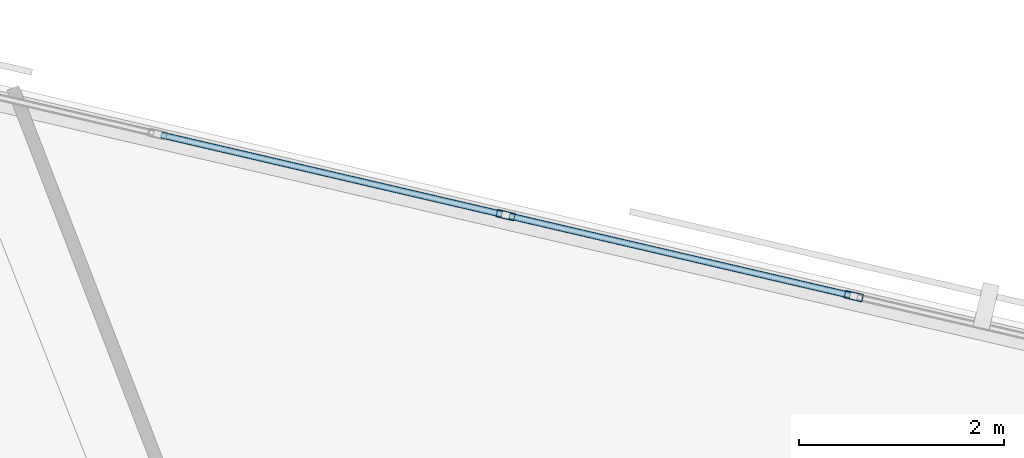
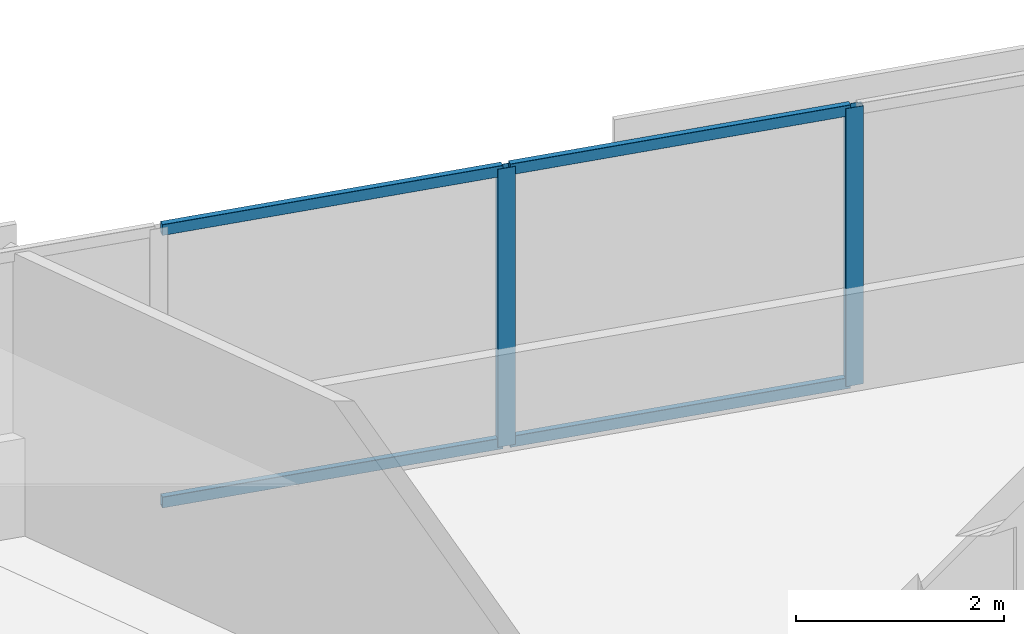
# One storey, part 7 of 14: 6 members, 1 element without a shape of its own.
"""IFC4 building model written with IfcOpenShell, lengths in metres."""

from ifc_helpers import new_model, si_unit, direction, frame, origin, origin_2d, place, context, subcontext, project, spatial, hollow_rectangle, extrude, material, material_profile, profile_set, type_object, element, aggregate, save


model = new_model("IFC4")

# Units and contexts
model_context = context("Model", 3, precision=1e-05, world=origin(), true_north=direction((0.0, 1.0)))
body_context = subcontext(model_context, "Body", "Model", "MODEL_VIEW")
ifc_project = project(units=[si_unit("LENGTHUNIT", "METRE"), si_unit("AREAUNIT", "SQUARE_METRE"), si_unit("VOLUMEUNIT", "CUBIC_METRE"), si_unit("PLANEANGLEUNIT", "RADIAN"), si_unit("MASSUNIT", "GRAM", prefix="KILO")], contexts=[model_context])

# Site, building, storey
site_placement = place(None, origin())
site = spatial("IfcSite", under=ifc_project, at=site_placement, CompositionType="ELEMENT")
building_placement = place(site_placement, origin())
building = spatial("IfcBuilding", under=site, at=building_placement, Name="Narakoshi Arena Tower", CompositionType="ELEMENT")
storey_placement = place(building_placement, frame((0.0, 0.0, 189.659912109375)))
storey = spatial("IfcBuildingStorey", under=building, at=storey_placement, Name="L51", CompositionType="ELEMENT", Elevation=189.659912109375)

# Curtain wall, members
ifc_material = material(Name="Anodised bronze aluminium 6063-T6", Category="aluminium")
curtain_wall_type = type_object("IfcCurtainWallType", Name="CW-HYP-MID", PredefinedType="NOTDEFINED", material=ifc_material)
curtain_wall_placement = place(storey_placement, origin())
curtain_wall = element("IfcCurtainWall", 1, at=curtain_wall_placement, inside=storey, type_object=curtain_wall_type, Name="L51 Folded Hypotenuse Curtain Wall 2-1", PredefinedType="NOTDEFINED")
ifc_material_profile_1 = material_profile(ifc_material, hollow_rectangle(XDim=0.074951171875, YDim=0.179931640625, WallThickness=0.00390625, OuterFilletRadius=0.0048828125, at=origin_2d()), Name="MUL180x75x4")
ifc_profile_set_1 = profile_set([ifc_material_profile_1], Name="Anodised bronze aluminium 6063-T6")
member_type_1 = type_object("IfcMemberType", Name="MEM-MUL-180", PredefinedType="MULLION", material=ifc_profile_set_1)
member_1_placement = place(storey_placement, frame((78.911376953125, 64.4443359375, 0.0), z_axis=(0.0, 0.0, 1.0), x_axis=(-0.226721182724, -0.973959704148, 0.0)))
member_1 = element("IfcMember", 2, at=member_1_placement, type_object=member_type_1, Name="CW-02 mullion 3", PredefinedType="MULLION", context=body_context, shape_type="SweptSolid", body=[
    extrude(hollow_rectangle(XDim=0.074951171875, YDim=0.179931640625, WallThickness=0.00390625, OuterFilletRadius=0.0048828125, at=origin_2d()), origin(), (0.0, 0.0, 1.0), 3.260009765625),
])
member_2_placement = place(storey_placement, frame((75.510498046875, 65.236083984375, 0.0), z_axis=(0.0, 0.0, 1.0), x_axis=(-0.226721182724, -0.973959704148, 0.0)))
member_2 = element("IfcMember", 3, at=member_2_placement, type_object=member_type_1, Name="CW-02 mullion 4", PredefinedType="MULLION", context=body_context, shape_type="SweptSolid", body=[
    extrude(hollow_rectangle(XDim=0.074951171875, YDim=0.179931640625, WallThickness=0.00390625, OuterFilletRadius=0.0048828125, at=origin_2d()), origin(), (0.0, 0.0, 1.0), 3.260009765625),
])
ifc_material_profile_2 = material_profile(ifc_material, hollow_rectangle(XDim=0.06494140625, YDim=0.1298828125, WallThickness=0.00390625, OuterFilletRadius=0.0048828125, at=origin_2d()), Name="TRN130x65x4")
ifc_profile_set_2 = profile_set([ifc_material_profile_2], Name="Anodised bronze aluminium 6063-T6")
member_type_2 = type_object("IfcMemberType", Name="MEM-TRN-130", PredefinedType="USERDEFINED", material=ifc_profile_set_2)
member_3_placement = place(storey_placement, frame((78.874755859375, 64.452880859375, 0.032470703125), z_axis=(-0.973957040336, 0.226732625751, 0.0), x_axis=(-0.226732625751, -0.973957040336, 0.0)))
member_3 = element("IfcMember", 4, at=member_3_placement, type_object=member_type_2, Name="CW-02 transom 3.1", ObjectType="TRANSOM", PredefinedType="USERDEFINED", context=body_context, shape_type="SweptSolid", body=[
    extrude(hollow_rectangle(XDim=0.06494140625, YDim=0.1298828125, WallThickness=0.00390625, OuterFilletRadius=0.0048828125, at=origin_2d()), origin(), (0.0, 0.0, 1.0), 3.41650390625),
])
member_4_placement = place(storey_placement, frame((78.874755859375, 64.452880859375, 3.2275390625), z_axis=(-0.973957040336, 0.226732625751, 0.0), x_axis=(-0.226732625751, -0.973957040336, 0.0)))
member_4 = element("IfcMember", 5, at=member_4_placement, type_object=member_type_2, Name="CW-02 transom 3.2", ObjectType="TRANSOM", PredefinedType="USERDEFINED", context=body_context, shape_type="SweptSolid", body=[
    extrude(hollow_rectangle(XDim=0.06494140625, YDim=0.1298828125, WallThickness=0.00390625, OuterFilletRadius=0.0048828125, at=origin_2d()), origin(), (0.0, 0.0, 1.0), 3.41650390625),
])
member_5_placement = place(storey_placement, frame((75.473876953125, 65.24462890625, 0.032470703125), z_axis=(-0.973957040336, 0.226732625751, 0.0), x_axis=(-0.226732625751, -0.973957040336, 0.0)))
member_5 = element("IfcMember", 6, at=member_5_placement, type_object=member_type_2, Name="CW-02 transom 4.1", ObjectType="TRANSOM", PredefinedType="USERDEFINED", context=body_context, shape_type="SweptSolid", body=[
    extrude(hollow_rectangle(XDim=0.06494140625, YDim=0.1298828125, WallThickness=0.00390625, OuterFilletRadius=0.0048828125, at=origin_2d()), origin(), (0.0, 0.0, 1.0), 3.41650390625),
])
member_6_placement = place(storey_placement, frame((75.473876953125, 65.24462890625, 3.2275390625), z_axis=(-0.973957040336, 0.226732625751, 0.0), x_axis=(-0.226732625751, -0.973957040336, 0.0)))
member_6 = element("IfcMember", 7, at=member_6_placement, type_object=member_type_2, Name="CW-02 transom 4.2", ObjectType="TRANSOM", PredefinedType="USERDEFINED", context=body_context, shape_type="SweptSolid", body=[
    extrude(hollow_rectangle(XDim=0.06494140625, YDim=0.1298828125, WallThickness=0.00390625, OuterFilletRadius=0.0048828125, at=origin_2d()), origin(), (0.0, 0.0, 1.0), 3.41650390625),
])
aggregate(curtain_wall, [member_1, member_2, member_3, member_4, member_5, member_6])

save(model, "model.ifc")
